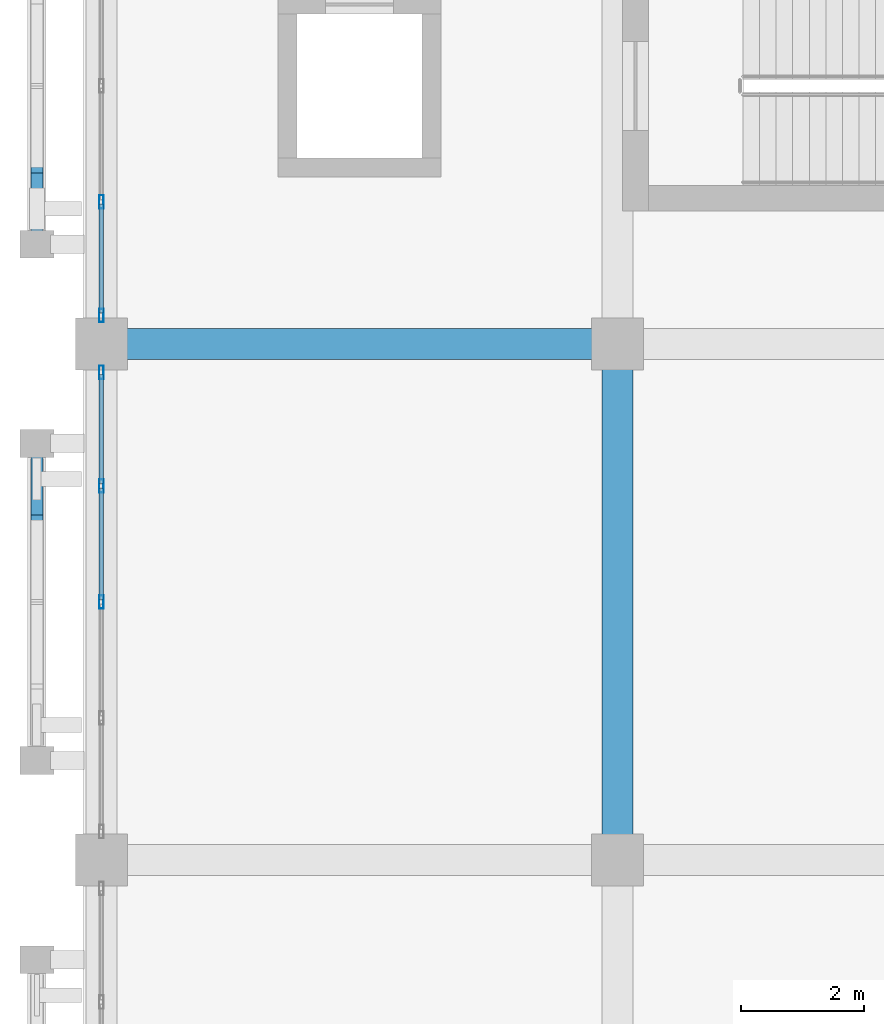
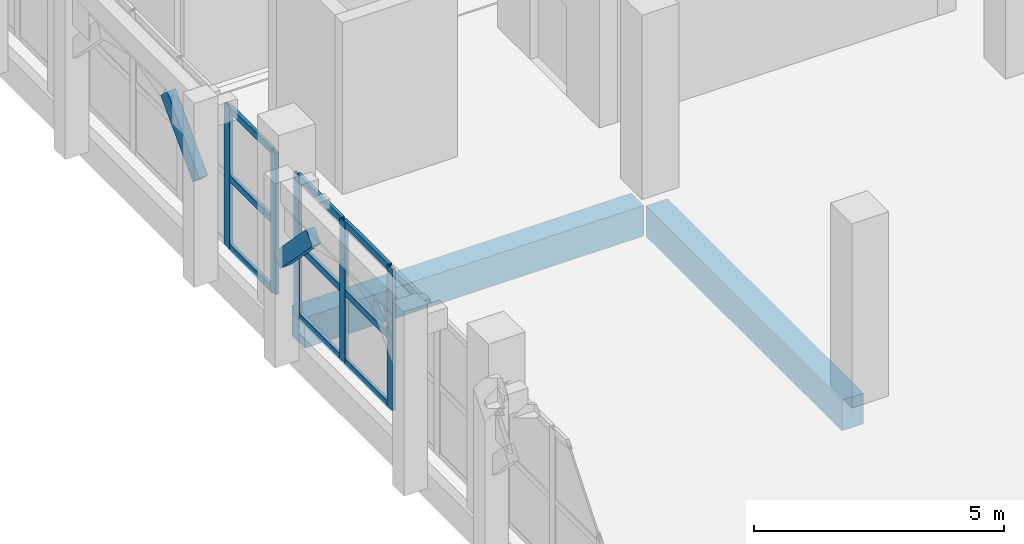
# One storey, part 42 of 129: 16 members, 2 beams, 2 elements without a shape of their own.
"""IFC4 building model written with IfcOpenShell, lengths in metres."""

from ifc_helpers import new_model, si_unit, direction, frame, origin, origin_2d, place, context, subcontext, project, spatial, rectangle, hollow_rectangle, extrude, material, layer, layer_set, material_profile, profile_set, type_object, element, aggregate, save


model = new_model("IFC4")

# Units and contexts
model_context = context("Model", 3, precision=1e-05, world=origin(), true_north=direction((0.0, 1.0)))
body_context = subcontext(model_context, "Body", "Model", "MODEL_VIEW")
ifc_project = project(units=[si_unit("LENGTHUNIT", "METRE"), si_unit("AREAUNIT", "SQUARE_METRE"), si_unit("VOLUMEUNIT", "CUBIC_METRE"), si_unit("PLANEANGLEUNIT", "RADIAN"), si_unit("MASSUNIT", "GRAM", prefix="KILO")], contexts=[model_context])

# Site, building, storey
site_placement = place(None, origin())
site = spatial("IfcSite", under=ifc_project, at=site_placement, CompositionType="ELEMENT")
building_placement = place(site_placement, origin())
building = spatial("IfcBuilding", under=site, at=building_placement, Name="Xazarin Passage Department Store", CompositionType="ELEMENT")
storey_placement = place(building_placement, frame((0.0, 0.0, 9.89990234375)))
storey = spatial("IfcBuildingStorey", under=building, at=storey_placement, Name="L02", CompositionType="ELEMENT", Elevation=9.89990234375)

# Curtain wall, members
ifc_material_1 = material(Name="Bronze anodised aluminium", Category="aluminium")
ifc_layer = layer(ifc_material_1, 0.199951171875)
ifc_layer_set = layer_set([ifc_layer], Name="Bronze anodised aluminium")
curtain_wall_type = type_object("IfcCurtainWallType", Name="ARC-CW-VIT2", PredefinedType="NOTDEFINED", material=ifc_layer_set)
curtain_wall_1_placement = place(storey_placement, origin())
curtain_wall_1 = element("IfcCurtainWall", 1, at=curtain_wall_1_placement, inside=storey, type_object=curtain_wall_type, Name="L02 V1 Curtain Wall 046", PredefinedType="NOTDEFINED")
ifc_material_profile_1 = material_profile(ifc_material_1, hollow_rectangle(XDim=0.074951171875, YDim=0.219970703125, WallThickness=0.0048828125, at=origin_2d()), Name="ALU 75x220")
ifc_profile_set_1 = profile_set([ifc_material_profile_1], Name="Bronze anodised aluminium")
member_type_1 = type_object("IfcMemberType", Name="ARC-CWM-75x220", PredefinedType="MULLION", material=ifc_profile_set_1)
member_1_placement = place(storey_placement, frame((0.0, 72.199951171875, 0.0), z_axis=(0.0, 0.0, 1.0), x_axis=(-1.0, 0.0, 0.0)))
member_1 = element("IfcMember", 2, at=member_1_placement, type_object=member_type_1, Name="CW2 mullion 3", PredefinedType="MULLION", context=body_context, shape_type="SweptSolid", body=[
    extrude(hollow_rectangle(XDim=0.074951171875, YDim=0.219970703125, WallThickness=0.0048828125, at=origin_2d()), origin(), (0.0, 0.0, 1.0), 3.4501953125),
])
member_2_placement = place(storey_placement, frame((0.0, 74.08740234375, 0.0), z_axis=(0.0, 0.0, 1.0), x_axis=(-1.0, 0.0, 0.0)))
member_2 = element("IfcMember", 3, at=member_2_placement, type_object=member_type_1, Name="CW2 mullion 4", PredefinedType="MULLION", context=body_context, shape_type="SweptSolid", body=[
    extrude(hollow_rectangle(XDim=0.074951171875, YDim=0.219970703125, WallThickness=0.0048828125, at=origin_2d()), origin(), (0.0, 0.0, 1.0), 3.4501953125),
])
member_3_placement = place(storey_placement, frame((0.0, 75.9375, 0.0), z_axis=(0.0, 0.0, 1.0), x_axis=(-1.0, 0.0, 0.0)))
member_3 = element("IfcMember", 4, at=member_3_placement, type_object=member_type_1, Name="CW2 mullion 5", PredefinedType="MULLION", context=body_context, shape_type="SweptSolid", body=[
    extrude(hollow_rectangle(XDim=0.074951171875, YDim=0.219970703125, WallThickness=0.0048828125, at=origin_2d()), origin(), (0.0, 0.0, 1.0), 3.4501953125),
])

curtain_wall_2_placement = place(storey_placement, origin())
curtain_wall_2 = element("IfcCurtainWall", 5, at=curtain_wall_2_placement, inside=storey, type_object=curtain_wall_type, Name="L02 V1 Curtain Wall 047", PredefinedType="NOTDEFINED")
member_4_placement = place(storey_placement, frame((0.0, 76.862548828125, 0.0), z_axis=(0.0, 0.0, 1.0), x_axis=(-1.0, 0.0, 0.0)))
member_4 = element("IfcMember", 6, at=member_4_placement, type_object=member_type_1, Name="CW2 mullion 1", PredefinedType="MULLION", context=body_context, shape_type="SweptSolid", body=[
    extrude(hollow_rectangle(XDim=0.074951171875, YDim=0.219970703125, WallThickness=0.0048828125, at=origin_2d()), origin(), (0.0, 0.0, 1.0), 3.4501953125),
])
member_5_placement = place(storey_placement, frame((0.0, 78.71240234375, 0.0), z_axis=(0.0, 0.0, 1.0), x_axis=(-1.0, 0.0, 0.0)))
member_5 = element("IfcMember", 7, at=member_5_placement, type_object=member_type_1, Name="CW2 mullion 2", PredefinedType="MULLION", context=body_context, shape_type="SweptSolid", body=[
    extrude(hollow_rectangle(XDim=0.074951171875, YDim=0.219970703125, WallThickness=0.0048828125, at=origin_2d()), origin(), (0.0, 0.0, 1.0), 3.4501953125),
])

# Member
ifc_material_profile_2 = material_profile(ifc_material_1, hollow_rectangle(XDim=0.074951171875, YDim=0.159912109375, WallThickness=0.00439453125, at=origin_2d()), Name="ALU 75x160")
ifc_profile_set_2 = profile_set([ifc_material_profile_2], Name="Bronze anodised aluminium")
member_type_2 = type_object("IfcMemberType", Name="ARC-CWT-75x160", PredefinedType="USERDEFINED", material=ifc_profile_set_2)
member_6_placement = place(storey_placement, frame((0.0, 72.237548828125, 0.03759765625), z_axis=(0.0, 1.0, 0.0), x_axis=(-1.0, 0.0, 0.0)))
member_6 = element("IfcMember", 8, at=member_6_placement, type_object=member_type_2, Name="CW2 transom 3.1", ObjectType="TRANSOM", PredefinedType="USERDEFINED", context=body_context, shape_type="SweptSolid", body=[
    extrude(hollow_rectangle(XDim=0.074951171875, YDim=0.159912109375, WallThickness=0.00439453125, at=origin_2d()), origin(), (0.0, 0.0, 1.0), 1.8125),
])

member_7_placement = place(storey_placement, frame((0.0, 72.237548828125, 1.72509765625), z_axis=(0.0, 1.0, 0.0), x_axis=(-1.0, 0.0, 0.0)))
member_7 = element("IfcMember", 9, at=member_7_placement, type_object=member_type_2, Name="CW2 transom 3.2", ObjectType="TRANSOM", PredefinedType="USERDEFINED", context=body_context, shape_type="SweptSolid", body=[
    extrude(hollow_rectangle(XDim=0.074951171875, YDim=0.159912109375, WallThickness=0.00439453125, at=origin_2d()), origin(), (0.0, 0.0, 1.0), 1.8125),
])

member_8_placement = place(storey_placement, frame((0.0, 72.237548828125, 3.41259765625), z_axis=(0.0, 1.0, 0.0), x_axis=(-1.0, 0.0, 0.0)))
member_8 = element("IfcMember", 10, at=member_8_placement, type_object=member_type_2, Name="CW2 transom 3.3", ObjectType="TRANSOM", PredefinedType="USERDEFINED", context=body_context, shape_type="SweptSolid", body=[
    extrude(hollow_rectangle(XDim=0.074951171875, YDim=0.159912109375, WallThickness=0.00439453125, at=origin_2d()), origin(), (0.0, 0.0, 1.0), 1.8125),
])

member_9_placement = place(storey_placement, frame((0.0, 74.125, 0.03759765625), z_axis=(0.0, 1.0, 0.0), x_axis=(-1.0, 0.0, 0.0)))
member_9 = element("IfcMember", 11, at=member_9_placement, type_object=member_type_2, Name="CW2 transom 4.1", ObjectType="TRANSOM", PredefinedType="USERDEFINED", context=body_context, shape_type="SweptSolid", body=[
    extrude(hollow_rectangle(XDim=0.074951171875, YDim=0.159912109375, WallThickness=0.00439453125, at=origin_2d()), origin(), (0.0, 0.0, 1.0), 1.77490234375),
])

member_10_placement = place(storey_placement, frame((0.0, 74.125, 1.72509765625), z_axis=(0.0, 1.0, 0.0), x_axis=(-1.0, 0.0, 0.0)))
member_10 = element("IfcMember", 12, at=member_10_placement, type_object=member_type_2, Name="CW2 transom 4.2", ObjectType="TRANSOM", PredefinedType="USERDEFINED", context=body_context, shape_type="SweptSolid", body=[
    extrude(hollow_rectangle(XDim=0.074951171875, YDim=0.159912109375, WallThickness=0.00439453125, at=origin_2d()), origin(), (0.0, 0.0, 1.0), 1.77490234375),
])

member_11_placement = place(storey_placement, frame((0.0, 74.125, 3.41259765625), z_axis=(0.0, 1.0, 0.0), x_axis=(-1.0, 0.0, 0.0)))
member_11 = element("IfcMember", 13, at=member_11_placement, type_object=member_type_2, Name="CW2 transom 4.3", ObjectType="TRANSOM", PredefinedType="USERDEFINED", context=body_context, shape_type="SweptSolid", body=[
    extrude(hollow_rectangle(XDim=0.074951171875, YDim=0.159912109375, WallThickness=0.00439453125, at=origin_2d()), origin(), (0.0, 0.0, 1.0), 1.77490234375),
])

aggregate(curtain_wall_1, [member_1, member_2, member_3, member_6, member_7, member_8, member_9, member_10, member_11])

member_12_placement = place(storey_placement, frame((0.0, 76.89990234375, 0.03759765625), z_axis=(0.0, 1.0, 0.0), x_axis=(-1.0, 0.0, 0.0)))
member_12 = element("IfcMember", 14, at=member_12_placement, type_object=member_type_2, Name="CW2 transom 1.1", ObjectType="TRANSOM", PredefinedType="USERDEFINED", context=body_context, shape_type="SweptSolid", body=[
    extrude(hollow_rectangle(XDim=0.074951171875, YDim=0.159912109375, WallThickness=0.00439453125, at=origin_2d()), origin(), (0.0, 0.0, 1.0), 1.775146484375),
])

member_13_placement = place(storey_placement, frame((0.0, 76.89990234375, 1.72509765625), z_axis=(0.0, 1.0, 0.0), x_axis=(-1.0, 0.0, 0.0)))
member_13 = element("IfcMember", 15, at=member_13_placement, type_object=member_type_2, Name="CW2 transom 1.2", ObjectType="TRANSOM", PredefinedType="USERDEFINED", context=body_context, shape_type="SweptSolid", body=[
    extrude(hollow_rectangle(XDim=0.074951171875, YDim=0.159912109375, WallThickness=0.00439453125, at=origin_2d()), origin(), (0.0, 0.0, 1.0), 1.775146484375),
])

member_14_placement = place(storey_placement, frame((0.0, 76.89990234375, 3.41259765625), z_axis=(0.0, 1.0, 0.0), x_axis=(-1.0, 0.0, 0.0)))
member_14 = element("IfcMember", 16, at=member_14_placement, type_object=member_type_2, Name="CW2 transom 1.3", ObjectType="TRANSOM", PredefinedType="USERDEFINED", context=body_context, shape_type="SweptSolid", body=[
    extrude(hollow_rectangle(XDim=0.074951171875, YDim=0.159912109375, WallThickness=0.00439453125, at=origin_2d()), origin(), (0.0, 0.0, 1.0), 1.775146484375),
])

aggregate(curtain_wall_2, [member_4, member_5, member_12, member_13, member_14])

# Beams
ifc_material_2 = material(Name="Concrete C35/45", Category="concrete")
ifc_material_profile_3 = material_profile(ifc_material_2, rectangle(XDim=0.5, YDim=0.75, at=origin_2d()), Name="RC 500x750")
ifc_profile_set_3 = profile_set([ifc_material_profile_3], Name="Concrete C35/45")
beam_type = type_object("IfcBeamType", Name="STR-BM-SP500x750", PredefinedType="SPANDREL", material=ifc_profile_set_3)
for number, where, z_axis, x_axis, name in (
    (17, (0.280029296875, 76.39990234375, -0.6748046875), (1.0, 0.0, 0.0), (0.0, 1.0, 0.0), "L02 Grid Beam L/1-2"),
    (18, (8.39990234375, 68.280029296875, -0.6748046875), (0.0, 1.0, 0.0), (-1.0, 0.0, 0.0), "L02 Grid Beam 2/K-L"),
):
    element("IfcBeam", number, at=place(storey_placement, frame(where, z_axis=z_axis, x_axis=x_axis)), inside=storey, type_object=beam_type, Name=name, PredefinedType="SPANDREL", context=body_context, shape_type="SweptSolid", body=[
        extrude(rectangle(XDim=0.5, YDim=0.75, at=origin_2d()), origin(), (0.0, 0.0, 1.0), 7.840087890625),
    ])

# Members
ifc_material_3 = material(Name="Concrete C40/50", Category="concrete")
ifc_material_profile_4 = material_profile(ifc_material_3, rectangle(XDim=0.199951171875, YDim=0.360107421875, at=origin_2d()), Name="RC 200x360")
ifc_profile_set_4 = profile_set([ifc_material_profile_4], Name="Concrete C40/50")
member_type_3 = type_object("IfcMemberType", Name="STR-MEM-ARC360", PredefinedType="CHORD", material=ifc_profile_set_4)
for number, where, z_axis, x_axis, name in (
    (19, (-1.050048828125, 73.489990234375, 3.7705078125), (0.0, 0.693460080602, -0.720495049679), (-1.0, 0.0, 0.0), "L02 V1 Pierced Lattice Curved Arch 010.4"),
    (20, (-1.050048828125, 78.02001953125, 2.43017578125), (0.0, 0.693460080602, 0.720495049679), (-1.0, 0.0, 0.0), "L02 V1 Pierced Lattice Curved Arch 011.1"),
):
    element("IfcMember", number, at=place(storey_placement, frame(where, z_axis=z_axis, x_axis=x_axis)), inside=storey, type_object=member_type_3, Name=name, PredefinedType="CHORD", context=body_context, shape_type="SweptSolid", body=[
        extrude(rectangle(XDim=0.199951171875, YDim=0.360107421875, at=origin_2d()), origin(), (0.0, 0.0, 1.0), 1.8603515625),
    ])

save(model, "model.ifc")
